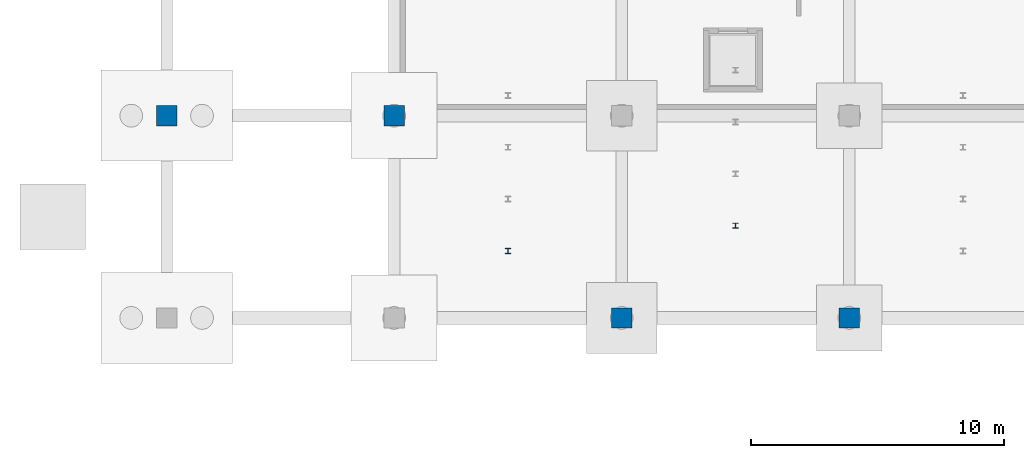
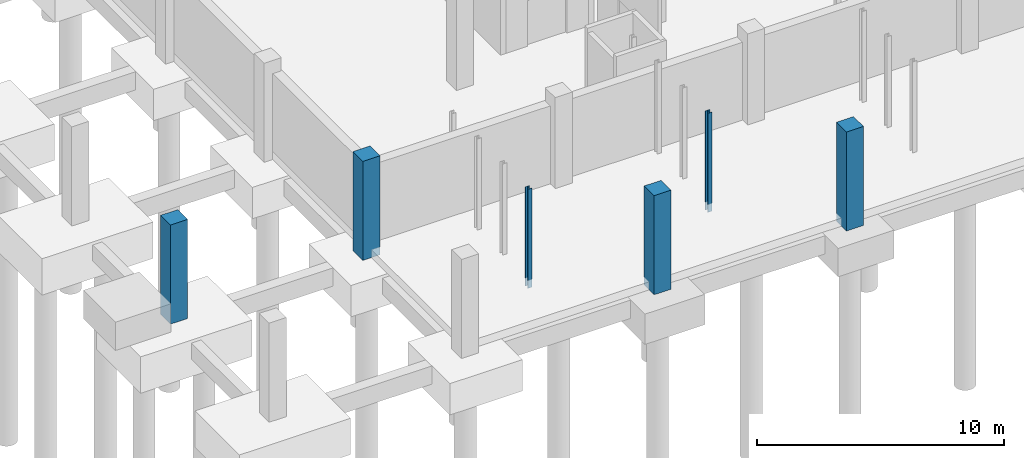
# One storey, part 11 of 40: 6 columns.
"""IFC4 building model written with IfcOpenShell, lengths in metres."""

from ifc_helpers import new_model, si_unit, direction, frame, origin, origin_2d, place, context, subcontext, project, spatial, rectangle, i_section, extrude, material, material_profile, profile_set, type_object, element, save


model = new_model("IFC4")

# Units and contexts
model_context = context("Model", 3, precision=1e-05, world=origin(), true_north=direction((0.0, 1.0)))
body_context = subcontext(model_context, "Body", "Model", "MODEL_VIEW")
ifc_project = project(units=[si_unit("LENGTHUNIT", "METRE"), si_unit("AREAUNIT", "SQUARE_METRE"), si_unit("VOLUMEUNIT", "CUBIC_METRE"), si_unit("PLANEANGLEUNIT", "RADIAN"), si_unit("MASSUNIT", "GRAM", prefix="KILO")], contexts=[model_context])

# Site, building, storey
site_placement = place(None, origin())
site = spatial("IfcSite", under=ifc_project, at=site_placement, CompositionType="ELEMENT")
building_placement = place(site_placement, origin())
building = spatial("IfcBuilding", under=site, at=building_placement, Name="Marnock Terrace Opera House", CompositionType="ELEMENT")
storey_placement = place(building_placement, frame((0.0, 0.0, -4.800048828125)))
storey = spatial("IfcBuildingStorey", under=building, at=storey_placement, Name="B1", CompositionType="ELEMENT", Elevation=-4.800048828125)

# Columns
ifc_material_1 = material(Name="Concrete N50 (f'c = 50 MPa)", Category="concrete")
ifc_material_profile_1 = material_profile(ifc_material_1, rectangle(XDim=0.800048828125, YDim=0.800048828125, at=origin_2d()))
ifc_profile_set_1 = profile_set([ifc_material_profile_1], Name="Concrete N50 (f'c = 50 MPa)")
column_type_1 = type_object("IfcColumnType", Name="COL-RC800", PredefinedType="COLUMN", material=ifc_profile_set_1)
for number, where, z_axis, x_axis, name in (
    (1, (0.0, 16.0, -0.39990234375), (0.0, 0.0, 1.0), (1.0, 0.0, 0.0), "B1 column at (0.0, 16.0)"),
    (2, (9.0, 16.0, -0.39990234375), (0.0, 0.0, 1.0), (1.0, 0.0, 0.0), "B1 column at (9.0, 16.0)"),
    (3, (18.0, 8.0, -0.39990234375), (0.0, 0.0, 1.0), (1.0, 0.0, 0.0), "B1 column at (18.0, 8.0)"),
    (4, (27.0, 8.0, -0.39990234375), (0.0, 0.0, 1.0), (1.0, 0.0, 0.0), "B1 column at (27.0, 8.0)"),
):
    element("IfcColumn", number, at=place(storey_placement, frame(where, z_axis=z_axis, x_axis=x_axis)), inside=storey, type_object=column_type_1, Name=name, PredefinedType="COLUMN", context=body_context, shape_type="SweptSolid", body=[
        extrude(rectangle(XDim=0.800048828125, YDim=0.800048828125, at=origin_2d()), origin(), (0.0, 0.0, 1.0), 4.89990234375),
    ])
ifc_material_2 = material(Name="Steel Grade 350 (AS/NZS 3679.1)", Category="steel")
ifc_material_profile_2 = material_profile(ifc_material_2, i_section(OverallWidth=0.205078125, OverallDepth=0.209716796875, WebThickness=0.00927734375, FlangeThickness=0.01416015625, FilletRadius=0.011474609375, at=origin_2d()))
ifc_profile_set_2 = profile_set([ifc_material_profile_2], Name="Steel Grade 350 (AS/NZS 3679.1)")
column_type_2 = type_object("IfcColumnType", Name="COL-UC200", PredefinedType="COLUMN", material=ifc_profile_set_2)
for number, where, z_axis, x_axis, name in (
    (5, (13.5, 10.64990234375, -0.39990234375), (0.0, 0.0, 1.0), (1.0, 0.0, 0.0), "B1 Chamber tier 1 support column W"),
    (6, (22.5, 11.64990234375, -0.39990234375), (0.0, 0.0, 1.0), (1.0, 0.0, 0.0), "B1 Chamber tier 1 support column M"),
):
    element("IfcColumn", number, at=place(storey_placement, frame(where, z_axis=z_axis, x_axis=x_axis)), inside=storey, type_object=column_type_2, Name=name, PredefinedType="COLUMN", context=body_context, shape_type="SweptSolid", body=[
        extrude(i_section(OverallWidth=0.205078125, OverallDepth=0.209716796875, WebThickness=0.00927734375, FlangeThickness=0.01416015625, FilletRadius=0.011474609375, at=origin_2d()), origin(), (0.0, 0.0, 1.0), 4.89990234375),
    ])

save(model, "model.ifc")
